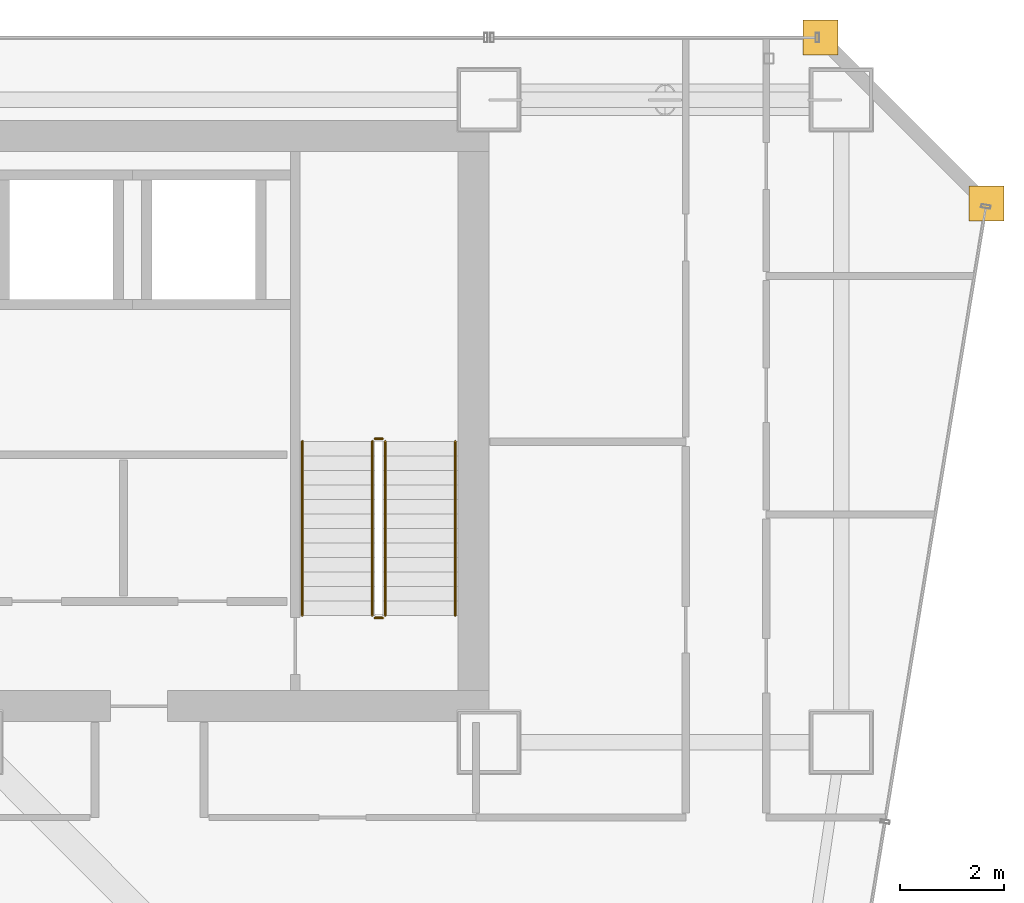
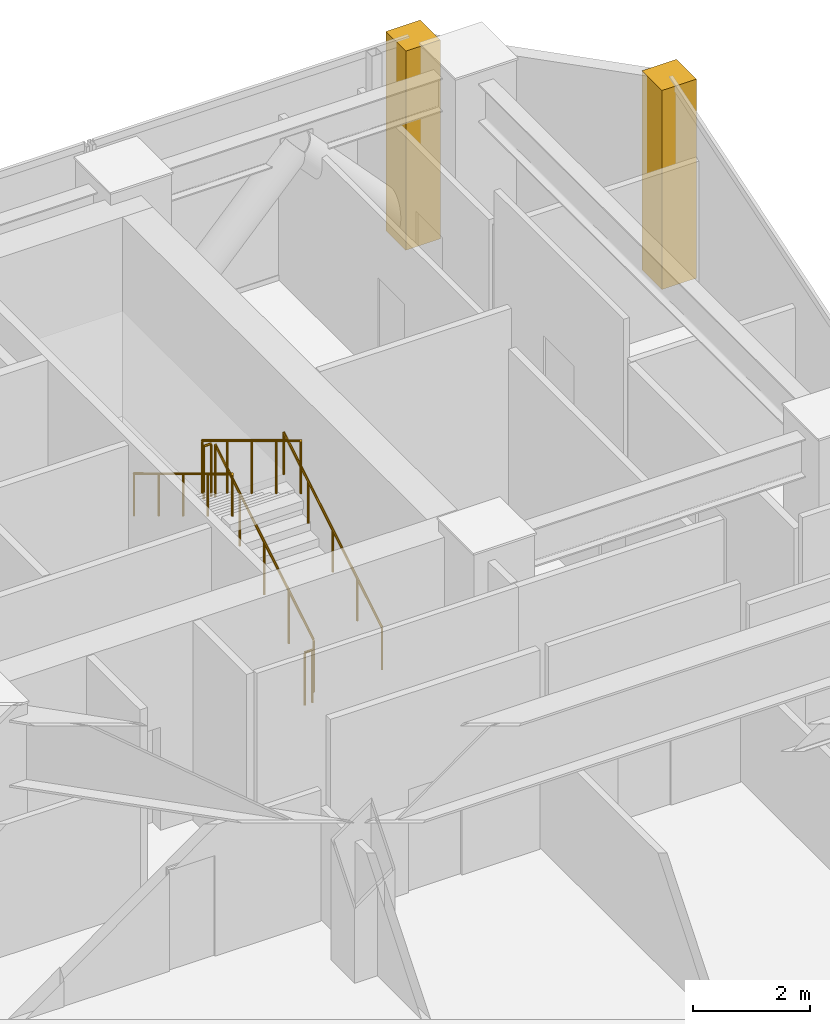
# One storey, part 40 of 40: 6 railings, 2 coverings.
"""IFC4 building model written with IfcOpenShell, lengths in metres."""

from ifc_helpers import new_model, si_unit, direction, frame, origin, origin_2d, place, context, subcontext, project, spatial, polyline, circle, outline, extrude, material, layer, layer_set, type_object, element, save


model = new_model("IFC4")

# Units and contexts
model_context = context("Model", 3, precision=1e-05, world=origin(), true_north=direction((0.0, 1.0)))
body_context = subcontext(model_context, "Body", "Model", "MODEL_VIEW")
ifc_project = project(units=[si_unit("LENGTHUNIT", "METRE"), si_unit("AREAUNIT", "SQUARE_METRE"), si_unit("VOLUMEUNIT", "CUBIC_METRE"), si_unit("PLANEANGLEUNIT", "RADIAN"), si_unit("MASSUNIT", "GRAM", prefix="KILO")], contexts=[model_context])

# Site, building, storey
site_placement = place(None, origin())
site = spatial("IfcSite", under=ifc_project, at=site_placement, CompositionType="ELEMENT")
building_placement = place(site_placement, origin())
building = spatial("IfcBuilding", under=site, at=building_placement, Name="Saevonmaru Cultural Tower", CompositionType="ELEMENT")
storey_placement = place(building_placement, frame((0.0, 0.0, 97.199951171875)))
storey = spatial("IfcBuildingStorey", under=building, at=storey_placement, Name="L20", CompositionType="ELEMENT", Elevation=97.199951171875)

# Coverings
ifc_material_1 = material(Name="Satin Bronze Anodised Aluminium", Category="aluminium")
ifc_layer = layer(ifc_material_1, 0.679931640625, Name="Satin Bronze Anodised Aluminium")
ifc_layer_set = layer_set([ifc_layer], Name="Satin Bronze Anodised Aluminium")
covering_type = type_object("IfcCoveringType", Name="CV-CORNER-CLAD", PredefinedType="CLADDING", material=ifc_layer_set)
covering_1_placement = place(storey_placement, origin())
element("IfcCovering", 1, at=covering_1_placement, inside=storey, type_object=covering_type, Name="L20 Tower Bronze Corner Cladding Pier 9", PredefinedType="CLADDING", context=body_context, shape_type="SweptSolid", body=[
    extrude(outline(polyline([(55.659912109375, 52.4599609375), (56.340087890625, 52.4599609375), (56.340087890625, 53.139892578125), (55.659912109375, 53.139892578125), (55.659912109375, 52.4599609375)])), origin(), (0.0, 0.0, 1.0), 4.150146484375),
])
covering_2_placement = place(storey_placement, origin())
element("IfcCovering", 2, at=covering_2_placement, inside=storey, type_object=covering_type, Name="L20 Tower Bronze Corner Cladding Pier 10", PredefinedType="CLADDING", context=body_context, shape_type="SweptSolid", body=[
    extrude(outline(polyline([(52.4599609375, 55.659912109375), (53.139892578125, 55.659912109375), (53.139892578125, 56.340087890625), (52.4599609375, 56.340087890625), (52.4599609375, 55.659912109375)])), origin(), (0.0, 0.0, 1.0), 4.150146484375),
])

# Railings
ifc_material_2 = material(Name="Architectural Painted Steel", Category="steel")
railing_type_1 = type_object("IfcRailingType", Name="RL-STAIR-GUARD", PredefinedType="GUARDRAIL", material=ifc_material_2)
railing_1_placement = place(storey_placement, frame((44.39990234375, 44.85009765625, 0.169189453125)))
element("IfcRailing", 3, at=railing_1_placement, inside=storey, type_object=railing_type_1, Name="L20 ST-2 stair guard 1", PredefinedType="GUARDRAIL", context=body_context, shape_type="SweptSolid", body=[
    extrude(circle(Radius=0.02392578125, at=origin_2d()), frame((0.0, 0.0, 1.09619140625), z_axis=(0.0, 0.855820338506, 0.51727318527), x_axis=(-1.0, 0.0, 0.0)), (0.0, 0.0, 1.0), 3.92578125),
    extrude(circle(Radius=0.02099609375, at=origin_2d()), origin(), (0.0, 0.0, 1.0), 1.072021484375),
    extrude(circle(Radius=0.02099609375, at=origin_2d()), frame((0.0, 0.83984375, 0.5078125)), (0.0, 0.0, 1.0), 1.072021484375),
    extrude(circle(Radius=0.02099609375, at=origin_2d()), frame((0.0, 1.679931640625, 1.015380859375)), (0.0, 0.0, 1.0), 1.072021484375),
    extrude(circle(Radius=0.02099609375, at=origin_2d()), frame((0.0, 2.52001953125, 1.52294921875)), (0.0, 0.0, 1.0), 1.072021484375),
    extrude(circle(Radius=0.02099609375, at=origin_2d()), frame((0.0, 3.35986328125, 2.03076171875)), (0.0, 0.0, 1.0), 1.072021484375),
])
railing_2_placement = place(storey_placement, frame((44.35009765625, 48.260009765625, 2.199951171875)))
element("IfcRailing", 4, at=railing_2_placement, inside=storey, type_object=railing_type_1, Name="L20 ST-2 stair guard 2", PredefinedType="GUARDRAIL", context=body_context, shape_type="SweptSolid", body=[
    extrude(circle(Radius=0.02392578125, at=origin_2d()), frame((0.0, 0.0, 1.09619140625), z_axis=(-1.0, 0.0, 0.0), x_axis=(0.0, -1.0, 0.0)), (0.0, 0.0, 1.0), 0.150146484375),
    extrude(circle(Radius=0.02099609375, at=origin_2d()), origin(), (0.0, 0.0, 1.0), 1.072021484375),
    extrude(circle(Radius=0.02099609375, at=origin_2d()), frame((-0.150146484375, 0.0, 0.0)), (0.0, 0.0, 1.0), 1.072021484375),
])
railing_3_placement = place(storey_placement, frame((44.14990234375, 48.2099609375, 2.369384765625)))
element("IfcRailing", 5, at=railing_3_placement, inside=storey, type_object=railing_type_1, Name="L20 ST-2 stair guard 3", PredefinedType="GUARDRAIL", context=body_context, shape_type="SweptSolid", body=[
    extrude(circle(Radius=0.02392578125, at=origin_2d()), frame((0.0, 0.0, 1.09619140625), z_axis=(0.0, -0.855820338506, 0.51727318527), x_axis=(1.0, 0.0, 0.0)), (0.0, 0.0, 1.0), 3.92578125),
    extrude(circle(Radius=0.02099609375, at=origin_2d()), origin(), (0.0, 0.0, 1.0), 1.072021484375),
    extrude(circle(Radius=0.02099609375, at=origin_2d()), frame((0.0, -0.83984375, 0.5078125)), (0.0, 0.0, 1.0), 1.072021484375),
    extrude(circle(Radius=0.02099609375, at=origin_2d()), frame((0.0, -1.679931640625, 1.015380859375)), (0.0, 0.0, 1.0), 1.072021484375),
    extrude(circle(Radius=0.02099609375, at=origin_2d()), frame((0.0, -2.52001953125, 1.52294921875)), (0.0, 0.0, 1.0), 1.072021484375),
    extrude(circle(Radius=0.02099609375, at=origin_2d()), frame((0.0, -3.35986328125, 2.03076171875)), (0.0, 0.0, 1.0), 1.072021484375),
])
railing_4_placement = place(storey_placement, frame((44.35009765625, 44.800048828125, 0.0)))
element("IfcRailing", 6, at=railing_4_placement, inside=storey, type_object=railing_type_1, Name="L20 ST-2 stair guard 4", PredefinedType="GUARDRAIL", context=body_context, shape_type="SweptSolid", body=[
    extrude(circle(Radius=0.02392578125, at=origin_2d()), frame((0.0, 0.0, 1.09619140625), z_axis=(-1.0, 0.0, 0.0), x_axis=(0.0, -1.0, 0.0)), (0.0, 0.0, 1.0), 0.150146484375),
    extrude(circle(Radius=0.02099609375, at=origin_2d()), origin(), (0.0, 0.0, 1.0), 1.072021484375),
    extrude(circle(Radius=0.02099609375, at=origin_2d()), frame((-0.150146484375, 0.0, 0.0)), (0.0, 0.0, 1.0), 1.072021484375),
])
railing_type_2 = type_object("IfcRailingType", Name="RL-STAIR-HANDRAIL", PredefinedType="HANDRAIL", material=ifc_material_1)
railing_5_placement = place(storey_placement, frame((45.75, 44.85009765625, 0.169189453125)))
element("IfcRailing", 7, at=railing_5_placement, inside=storey, type_object=railing_type_2, Name="L20 ST-2 stair handrail 1", PredefinedType="HANDRAIL", context=body_context, shape_type="SweptSolid", body=[
    extrude(circle(Radius=0.02392578125, at=origin_2d()), frame((0.0, 0.0, 0.8759765625), z_axis=(0.0, 0.855820338506, 0.51727318527), x_axis=(-1.0, 0.0, 0.0)), (0.0, 0.0, 1.0), 3.92578125),
    extrude(circle(Radius=0.02099609375, at=origin_2d()), origin(), (0.0, 0.0, 1.0), 0.851806640625),
    extrude(circle(Radius=0.02099609375, at=origin_2d()), frame((0.0, 0.83984375, 0.5078125)), (0.0, 0.0, 1.0), 0.851806640625),
    extrude(circle(Radius=0.02099609375, at=origin_2d()), frame((0.0, 1.679931640625, 1.015380859375)), (0.0, 0.0, 1.0), 0.851806640625),
    extrude(circle(Radius=0.02099609375, at=origin_2d()), frame((0.0, 2.52001953125, 1.52294921875)), (0.0, 0.0, 1.0), 0.851806640625),
    extrude(circle(Radius=0.02099609375, at=origin_2d()), frame((0.0, 3.35986328125, 2.03076171875)), (0.0, 0.0, 1.0), 0.851806640625),
])
railing_6_placement = place(storey_placement, frame((42.800048828125, 48.2099609375, 2.369384765625)))
element("IfcRailing", 8, at=railing_6_placement, inside=storey, type_object=railing_type_2, Name="L20 ST-2 stair handrail 2", PredefinedType="HANDRAIL", context=body_context, shape_type="SweptSolid", body=[
    extrude(circle(Radius=0.02392578125, at=origin_2d()), frame((0.0, 0.0, 0.8759765625), z_axis=(0.0, -0.855820338506, 0.51727318527), x_axis=(1.0, 0.0, 0.0)), (0.0, 0.0, 1.0), 3.92578125),
    extrude(circle(Radius=0.02099609375, at=origin_2d()), origin(), (0.0, 0.0, 1.0), 0.851806640625),
    extrude(circle(Radius=0.02099609375, at=origin_2d()), frame((0.0, -0.83984375, 0.5078125)), (0.0, 0.0, 1.0), 0.851806640625),
    extrude(circle(Radius=0.02099609375, at=origin_2d()), frame((0.0, -1.679931640625, 1.015380859375)), (0.0, 0.0, 1.0), 0.851806640625),
    extrude(circle(Radius=0.02099609375, at=origin_2d()), frame((0.0, -2.52001953125, 1.52294921875)), (0.0, 0.0, 1.0), 0.851806640625),
    extrude(circle(Radius=0.02099609375, at=origin_2d()), frame((0.0, -3.35986328125, 2.03076171875)), (0.0, 0.0, 1.0), 0.851806640625),
])

save(model, "model.ifc")
